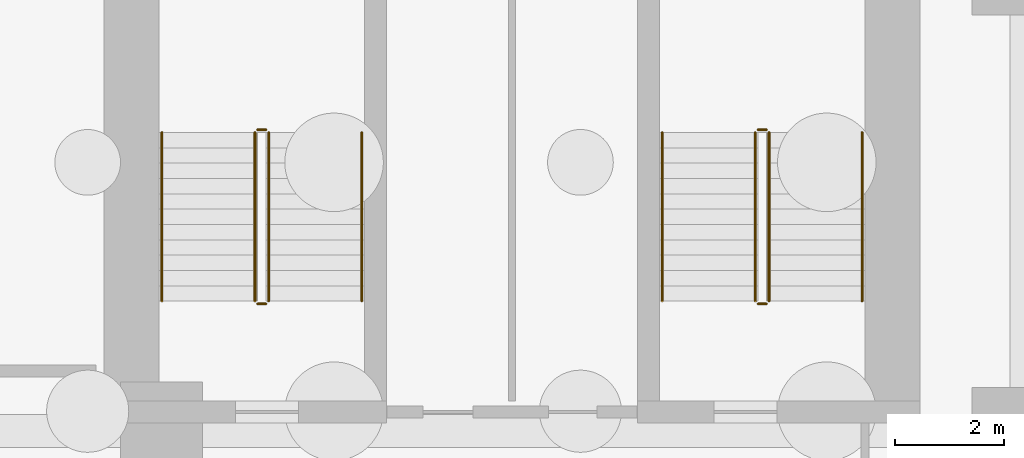
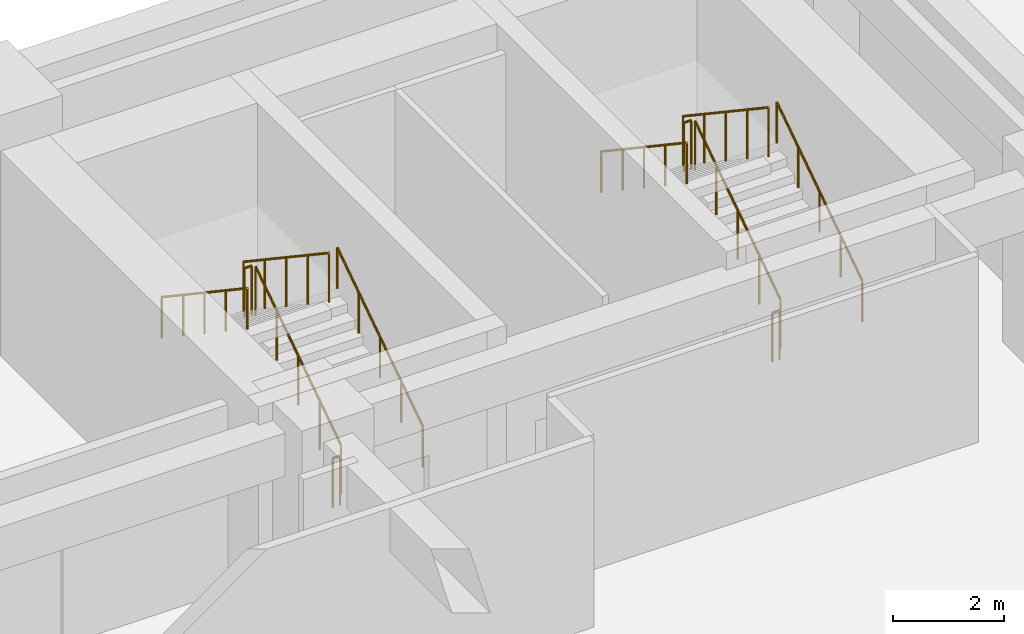
# One storey, part 7 of 8: 12 railings.
"""IFC4 building model written with IfcOpenShell, lengths in metres."""

from ifc_helpers import new_model, si_unit, direction, frame, origin, origin_2d, place, context, subcontext, project, spatial, circle, extrude, material, type_object, element, save


model = new_model("IFC4")

# Units and contexts
model_context = context("Model", 3, precision=1e-05, world=origin(), true_north=direction((0.0, 1.0)))
body_context = subcontext(model_context, "Body", "Model", "MODEL_VIEW")
ifc_project = project(units=[si_unit("LENGTHUNIT", "METRE"), si_unit("AREAUNIT", "SQUARE_METRE"), si_unit("VOLUMEUNIT", "CUBIC_METRE"), si_unit("PLANEANGLEUNIT", "RADIAN"), si_unit("MASSUNIT", "GRAM", prefix="KILO")], contexts=[model_context])

# Site, building, storey
site_placement = place(None, origin())
site = spatial("IfcSite", under=ifc_project, at=site_placement, CompositionType="ELEMENT")
building_placement = place(site_placement, origin())
building = spatial("IfcBuilding", under=site, at=building_placement, Name="Sulina Concourse Tower", CompositionType="ELEMENT")
storey_placement = place(building_placement, frame((0.0, 0.0, -9.0)))
storey = spatial("IfcBuildingStorey", under=building, at=storey_placement, Name="B2", CompositionType="ELEMENT", Elevation=-9.0)

# Railings
ifc_material_1 = material(Name="Galvanised steel railing", Category="steel")
railing_type_1 = type_object("IfcRailingType", Name="Core Stair Steel Guardrail 1150mm", PredefinedType="GUARDRAIL", material=ifc_material_1)
railing_1_placement = place(storey_placement, frame((43.554931640625, 36.375, 0.1875)))
element("IfcRailing", 1, at=railing_1_placement, inside=storey, type_object=railing_type_1, Name="B2 ST-3 stair guard 1", PredefinedType="GUARDRAIL", context=body_context, shape_type="SweptSolid", body=[
    extrude(circle(Radius=0.02392578125, at=origin_2d()), frame((0.0, 0.0, 1.076171875), z_axis=(0.0, 0.830913701846, 0.55640131208), x_axis=(-1.0, 0.0, 0.0)), (0.0, 0.0, 1.0), 3.706787109375),
    extrude(circle(Radius=0.02099609375, at=origin_2d()), origin(), (0.0, 0.0, 1.0), 1.052001953125),
    extrude(circle(Radius=0.02099609375, at=origin_2d()), frame((0.0, 0.77001953125, 0.515625)), (0.0, 0.0, 1.0), 1.052001953125),
    extrude(circle(Radius=0.02099609375, at=origin_2d()), frame((0.0, 1.5400390625, 1.03125)), (0.0, 0.0, 1.0), 1.052001953125),
    extrude(circle(Radius=0.02099609375, at=origin_2d()), frame((0.0, 2.31005859375, 1.546875)), (0.0, 0.0, 1.0), 1.052001953125),
    extrude(circle(Radius=0.02099609375, at=origin_2d()), frame((0.0, 3.080078125, 2.0625)), (0.0, 0.0, 1.0), 1.052001953125),
])
railing_2_placement = place(storey_placement, frame((43.5048828125, 39.5048828125, 2.25)))
element("IfcRailing", 2, at=railing_2_placement, inside=storey, type_object=railing_type_1, Name="B2 ST-3 stair guard 2", PredefinedType="GUARDRAIL", context=body_context, shape_type="SweptSolid", body=[
    extrude(circle(Radius=0.02392578125, at=origin_2d()), frame((0.0, 0.0, 1.076171875), z_axis=(-1.0, 0.0, 0.0), x_axis=(0.0, -1.0, 0.0)), (0.0, 0.0, 1.0), 0.14990234375),
    extrude(circle(Radius=0.02099609375, at=origin_2d()), origin(), (0.0, 0.0, 1.0), 1.052001953125),
    extrude(circle(Radius=0.02099609375, at=origin_2d()), frame((-0.14990234375, 0.0, 0.0)), (0.0, 0.0, 1.0), 1.052001953125),
])
railing_3_placement = place(storey_placement, frame((43.304931640625, 39.455078125, 2.4375)))
element("IfcRailing", 3, at=railing_3_placement, inside=storey, type_object=railing_type_1, Name="B2 ST-3 stair guard 3", PredefinedType="GUARDRAIL", context=body_context, shape_type="SweptSolid", body=[
    extrude(circle(Radius=0.02392578125, at=origin_2d()), frame((0.0, 0.0, 1.076171875), z_axis=(0.0, -0.830913701846, 0.55640131208), x_axis=(1.0, 0.0, 0.0)), (0.0, 0.0, 1.0), 3.706787109375),
    extrude(circle(Radius=0.02099609375, at=origin_2d()), origin(), (0.0, 0.0, 1.0), 1.052001953125),
    extrude(circle(Radius=0.02099609375, at=origin_2d()), frame((0.0, -0.77001953125, 0.515625)), (0.0, 0.0, 1.0), 1.052001953125),
    extrude(circle(Radius=0.02099609375, at=origin_2d()), frame((0.0, -1.5400390625, 1.03125)), (0.0, 0.0, 1.0), 1.052001953125),
    extrude(circle(Radius=0.02099609375, at=origin_2d()), frame((0.0, -2.31005859375, 1.546875)), (0.0, 0.0, 1.0), 1.052001953125),
    extrude(circle(Radius=0.02099609375, at=origin_2d()), frame((0.0, -3.080078125, 2.0625)), (0.0, 0.0, 1.0), 1.052001953125),
])
railing_4_placement = place(storey_placement, frame((43.5048828125, 36.324951171875, 0.0)))
element("IfcRailing", 4, at=railing_4_placement, inside=storey, type_object=railing_type_1, Name="B2 ST-3 stair guard 4", PredefinedType="GUARDRAIL", context=body_context, shape_type="SweptSolid", body=[
    extrude(circle(Radius=0.02392578125, at=origin_2d()), frame((0.0, 0.0, 1.076171875), z_axis=(-1.0, 0.0, 0.0), x_axis=(0.0, -1.0, 0.0)), (0.0, 0.0, 1.0), 0.14990234375),
    extrude(circle(Radius=0.02099609375, at=origin_2d()), origin(), (0.0, 0.0, 1.0), 1.052001953125),
    extrude(circle(Radius=0.02099609375, at=origin_2d()), frame((-0.14990234375, 0.0, 0.0)), (0.0, 0.0, 1.0), 1.052001953125),
])
railing_5_placement = place(storey_placement, frame((52.695068359375, 36.375, 0.1875)))
element("IfcRailing", 5, at=railing_5_placement, inside=storey, type_object=railing_type_1, Name="B2 ST-4 stair guard 1", PredefinedType="GUARDRAIL", context=body_context, shape_type="SweptSolid", body=[
    extrude(circle(Radius=0.02392578125, at=origin_2d()), frame((0.0, 0.0, 1.076171875), z_axis=(0.0, 0.830913701846, 0.55640131208), x_axis=(-1.0, 0.0, 0.0)), (0.0, 0.0, 1.0), 3.706787109375),
    extrude(circle(Radius=0.02099609375, at=origin_2d()), origin(), (0.0, 0.0, 1.0), 1.052001953125),
    extrude(circle(Radius=0.02099609375, at=origin_2d()), frame((0.0, 0.77001953125, 0.515625)), (0.0, 0.0, 1.0), 1.052001953125),
    extrude(circle(Radius=0.02099609375, at=origin_2d()), frame((0.0, 1.5400390625, 1.03125)), (0.0, 0.0, 1.0), 1.052001953125),
    extrude(circle(Radius=0.02099609375, at=origin_2d()), frame((0.0, 2.31005859375, 1.546875)), (0.0, 0.0, 1.0), 1.052001953125),
    extrude(circle(Radius=0.02099609375, at=origin_2d()), frame((0.0, 3.080078125, 2.0625)), (0.0, 0.0, 1.0), 1.052001953125),
])
railing_6_placement = place(storey_placement, frame((52.64501953125, 39.5048828125, 2.25)))
element("IfcRailing", 6, at=railing_6_placement, inside=storey, type_object=railing_type_1, Name="B2 ST-4 stair guard 2", PredefinedType="GUARDRAIL", context=body_context, shape_type="SweptSolid", body=[
    extrude(circle(Radius=0.02392578125, at=origin_2d()), frame((0.0, 0.0, 1.076171875), z_axis=(-1.0, 0.0, 0.0), x_axis=(0.0, -1.0, 0.0)), (0.0, 0.0, 1.0), 0.14990234375),
    extrude(circle(Radius=0.02099609375, at=origin_2d()), origin(), (0.0, 0.0, 1.0), 1.052001953125),
    extrude(circle(Radius=0.02099609375, at=origin_2d()), frame((-0.14990234375, 0.0, 0.0)), (0.0, 0.0, 1.0), 1.052001953125),
])
railing_7_placement = place(storey_placement, frame((52.445068359375, 39.455078125, 2.4375)))
element("IfcRailing", 7, at=railing_7_placement, inside=storey, type_object=railing_type_1, Name="B2 ST-4 stair guard 3", PredefinedType="GUARDRAIL", context=body_context, shape_type="SweptSolid", body=[
    extrude(circle(Radius=0.02392578125, at=origin_2d()), frame((0.0, 0.0, 1.076171875), z_axis=(0.0, -0.830913701846, 0.55640131208), x_axis=(1.0, 0.0, 0.0)), (0.0, 0.0, 1.0), 3.706787109375),
    extrude(circle(Radius=0.02099609375, at=origin_2d()), origin(), (0.0, 0.0, 1.0), 1.052001953125),
    extrude(circle(Radius=0.02099609375, at=origin_2d()), frame((0.0, -0.77001953125, 0.515625)), (0.0, 0.0, 1.0), 1.052001953125),
    extrude(circle(Radius=0.02099609375, at=origin_2d()), frame((0.0, -1.5400390625, 1.03125)), (0.0, 0.0, 1.0), 1.052001953125),
    extrude(circle(Radius=0.02099609375, at=origin_2d()), frame((0.0, -2.31005859375, 1.546875)), (0.0, 0.0, 1.0), 1.052001953125),
    extrude(circle(Radius=0.02099609375, at=origin_2d()), frame((0.0, -3.080078125, 2.0625)), (0.0, 0.0, 1.0), 1.052001953125),
])
railing_8_placement = place(storey_placement, frame((52.64501953125, 36.324951171875, 0.0)))
element("IfcRailing", 8, at=railing_8_placement, inside=storey, type_object=railing_type_1, Name="B2 ST-4 stair guard 4", PredefinedType="GUARDRAIL", context=body_context, shape_type="SweptSolid", body=[
    extrude(circle(Radius=0.02392578125, at=origin_2d()), frame((0.0, 0.0, 1.076171875), z_axis=(-1.0, 0.0, 0.0), x_axis=(0.0, -1.0, 0.0)), (0.0, 0.0, 1.0), 0.14990234375),
    extrude(circle(Radius=0.02099609375, at=origin_2d()), origin(), (0.0, 0.0, 1.0), 1.052001953125),
    extrude(circle(Radius=0.02099609375, at=origin_2d()), frame((-0.14990234375, 0.0, 0.0)), (0.0, 0.0, 1.0), 1.052001953125),
])
ifc_material_2 = material(Name="Galvanised steel railing", Category="steel")
railing_type_2 = type_object("IfcRailingType", Name="Stair Wall Steel Handrail 920mm", PredefinedType="HANDRAIL", material=ifc_material_2)
railing_9_placement = place(storey_placement, frame((45.2548828125, 36.375, 0.1875)))
element("IfcRailing", 9, at=railing_9_placement, inside=storey, type_object=railing_type_2, Name="B2 ST-3 stair handrail 1", PredefinedType="HANDRAIL", context=body_context, shape_type="SweptSolid", body=[
    extrude(circle(Radius=0.02392578125, at=origin_2d()), frame((0.0, 0.0, 0.89599609375), z_axis=(0.0, 0.830913701846, 0.55640131208), x_axis=(-1.0, 0.0, 0.0)), (0.0, 0.0, 1.0), 3.706787109375),
    extrude(circle(Radius=0.02099609375, at=origin_2d()), origin(), (0.0, 0.0, 1.0), 0.871826171875),
    extrude(circle(Radius=0.02099609375, at=origin_2d()), frame((0.0, 0.77001953125, 0.515625)), (0.0, 0.0, 1.0), 0.871826171875),
    extrude(circle(Radius=0.02099609375, at=origin_2d()), frame((0.0, 1.5400390625, 1.03125)), (0.0, 0.0, 1.0), 0.871826171875),
    extrude(circle(Radius=0.02099609375, at=origin_2d()), frame((0.0, 2.31005859375, 1.546875)), (0.0, 0.0, 1.0), 0.871826171875),
    extrude(circle(Radius=0.02099609375, at=origin_2d()), frame((0.0, 3.080078125, 2.0625)), (0.0, 0.0, 1.0), 0.871826171875),
])
railing_10_placement = place(storey_placement, frame((41.60498046875, 39.455078125, 2.4375)))
element("IfcRailing", 10, at=railing_10_placement, inside=storey, type_object=railing_type_2, Name="B2 ST-3 stair handrail 2", PredefinedType="HANDRAIL", context=body_context, shape_type="SweptSolid", body=[
    extrude(circle(Radius=0.02392578125, at=origin_2d()), frame((0.0, 0.0, 0.89599609375), z_axis=(0.0, -0.830913701846, 0.55640131208), x_axis=(1.0, 0.0, 0.0)), (0.0, 0.0, 1.0), 3.706787109375),
    extrude(circle(Radius=0.02099609375, at=origin_2d()), origin(), (0.0, 0.0, 1.0), 0.871826171875),
    extrude(circle(Radius=0.02099609375, at=origin_2d()), frame((0.0, -0.77001953125, 0.515625)), (0.0, 0.0, 1.0), 0.871826171875),
    extrude(circle(Radius=0.02099609375, at=origin_2d()), frame((0.0, -1.5400390625, 1.03125)), (0.0, 0.0, 1.0), 0.871826171875),
    extrude(circle(Radius=0.02099609375, at=origin_2d()), frame((0.0, -2.31005859375, 1.546875)), (0.0, 0.0, 1.0), 0.871826171875),
    extrude(circle(Radius=0.02099609375, at=origin_2d()), frame((0.0, -3.080078125, 2.0625)), (0.0, 0.0, 1.0), 0.871826171875),
])
railing_11_placement = place(storey_placement, frame((54.39501953125, 36.375, 0.1875)))
element("IfcRailing", 11, at=railing_11_placement, inside=storey, type_object=railing_type_2, Name="B2 ST-4 stair handrail 1", PredefinedType="HANDRAIL", context=body_context, shape_type="SweptSolid", body=[
    extrude(circle(Radius=0.02392578125, at=origin_2d()), frame((0.0, 0.0, 0.89599609375), z_axis=(0.0, 0.830913701846, 0.55640131208), x_axis=(-1.0, 0.0, 0.0)), (0.0, 0.0, 1.0), 3.706787109375),
    extrude(circle(Radius=0.02099609375, at=origin_2d()), origin(), (0.0, 0.0, 1.0), 0.871826171875),
    extrude(circle(Radius=0.02099609375, at=origin_2d()), frame((0.0, 0.77001953125, 0.515625)), (0.0, 0.0, 1.0), 0.871826171875),
    extrude(circle(Radius=0.02099609375, at=origin_2d()), frame((0.0, 1.5400390625, 1.03125)), (0.0, 0.0, 1.0), 0.871826171875),
    extrude(circle(Radius=0.02099609375, at=origin_2d()), frame((0.0, 2.31005859375, 1.546875)), (0.0, 0.0, 1.0), 0.871826171875),
    extrude(circle(Radius=0.02099609375, at=origin_2d()), frame((0.0, 3.080078125, 2.0625)), (0.0, 0.0, 1.0), 0.871826171875),
])
railing_12_placement = place(storey_placement, frame((50.7451171875, 39.455078125, 2.4375)))
element("IfcRailing", 12, at=railing_12_placement, inside=storey, type_object=railing_type_2, Name="B2 ST-4 stair handrail 2", PredefinedType="HANDRAIL", context=body_context, shape_type="SweptSolid", body=[
    extrude(circle(Radius=0.02392578125, at=origin_2d()), frame((0.0, 0.0, 0.89599609375), z_axis=(0.0, -0.830913701846, 0.55640131208), x_axis=(1.0, 0.0, 0.0)), (0.0, 0.0, 1.0), 3.706787109375),
    extrude(circle(Radius=0.02099609375, at=origin_2d()), origin(), (0.0, 0.0, 1.0), 0.871826171875),
    extrude(circle(Radius=0.02099609375, at=origin_2d()), frame((0.0, -0.77001953125, 0.515625)), (0.0, 0.0, 1.0), 0.871826171875),
    extrude(circle(Radius=0.02099609375, at=origin_2d()), frame((0.0, -1.5400390625, 1.03125)), (0.0, 0.0, 1.0), 0.871826171875),
    extrude(circle(Radius=0.02099609375, at=origin_2d()), frame((0.0, -2.31005859375, 1.546875)), (0.0, 0.0, 1.0), 0.871826171875),
    extrude(circle(Radius=0.02099609375, at=origin_2d()), frame((0.0, -3.080078125, 2.0625)), (0.0, 0.0, 1.0), 0.871826171875),
])

save(model, "model.ifc")
